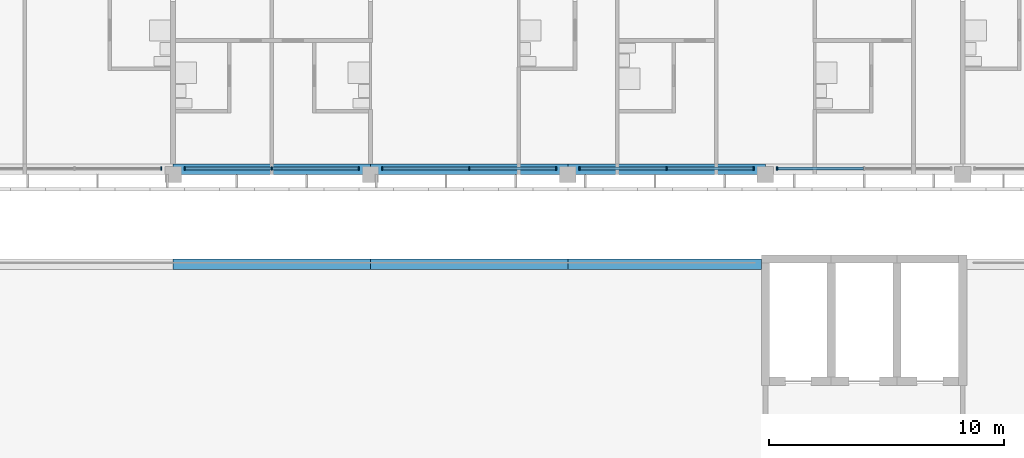
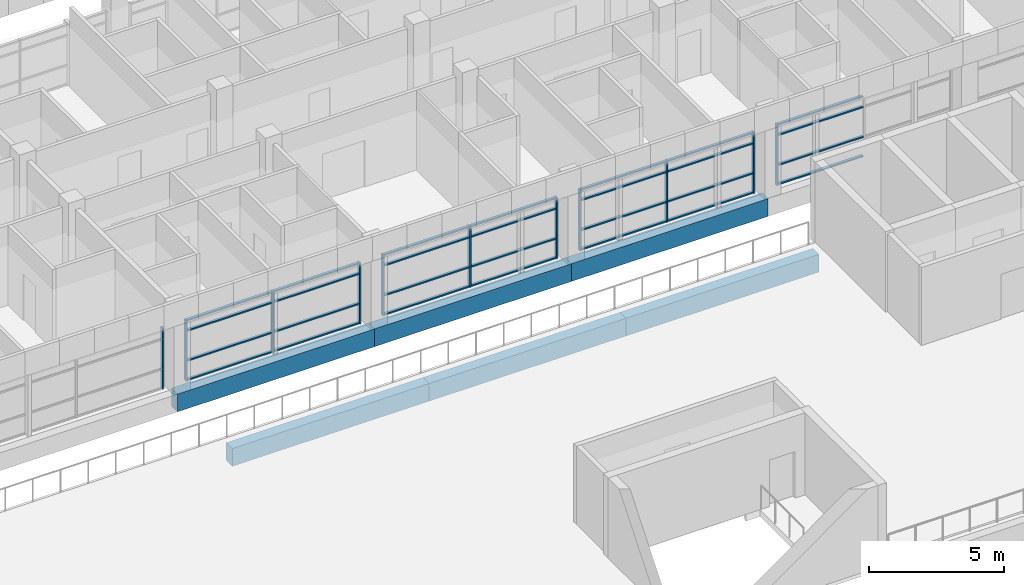
# One storey, part 8 of 46: 39 members, 6 beams, 5 elements without a shape of their own.
"""IFC4 building model written with IfcOpenShell, lengths in metres."""

from ifc_helpers import new_model, si_unit, direction, frame, origin, origin_2d, place, context, subcontext, project, spatial, rectangle, extrude, material, material_profile, profile_set, type_object, element, aggregate, save


model = new_model("IFC4")

# Units and contexts
model_context = context("Model", 3, precision=1e-05, world=origin(), true_north=direction((0.0, 1.0)))
body_context = subcontext(model_context, "Body", "Model", "MODEL_VIEW")
ifc_project = project(units=[si_unit("LENGTHUNIT", "METRE"), si_unit("AREAUNIT", "SQUARE_METRE"), si_unit("VOLUMEUNIT", "CUBIC_METRE"), si_unit("PLANEANGLEUNIT", "RADIAN"), si_unit("MASSUNIT", "GRAM", prefix="KILO")], contexts=[model_context])

# Site, building, storey
site_placement = place(None, origin())
site = spatial("IfcSite", under=ifc_project, at=site_placement, CompositionType="ELEMENT")
building_placement = place(site_placement, origin())
building = spatial("IfcBuilding", under=site, at=building_placement, Name="Bougainvillea Quay General Hospital", CompositionType="ELEMENT")
storey_placement = place(building_placement, frame((0.0, 0.0, 28.800048828125)))
storey = spatial("IfcBuildingStorey", under=building, at=storey_placement, Name="L06", CompositionType="ELEMENT", Elevation=28.800048828125)

# Curtain wall, member
ifc_material_1 = material(Name="Aluminium curtain wall system, powder-coated glazed", Category="aluminium")
curtain_wall_type = type_object("IfcCurtainWallType", Name="Unitised curtain wall CW-3730", PredefinedType="NOTDEFINED", material=ifc_material_1)
curtain_wall_1_placement = place(storey_placement, origin())
curtain_wall_1 = element("IfcCurtainWall", 1, at=curtain_wall_1_placement, inside=storey, type_object=curtain_wall_type, Name="CW-4200 03", PredefinedType="NOTDEFINED")
ifc_material_2 = material(Name="Aluminium mullion, powder-coated charcoal", Category="aluminium")
ifc_material_profile_1 = material_profile(ifc_material_2, rectangle(XDim=0.159912109375, YDim=0.06005859375, at=origin_2d()))
ifc_profile_set_1 = profile_set([ifc_material_profile_1], Name="Aluminium mullion, powder-coated charcoal")
member_type_1 = type_object("IfcMemberType", Name="Curtain wall mullion 160x60", PredefinedType="MULLION", material=ifc_profile_set_1)
member_1_placement = place(storey_placement, frame((108.699951171875, 140.64990234375, 0.0), z_axis=(0.0, 0.0, 1.0), x_axis=(0.0, 1.0, 0.0)))
member_1 = element("IfcMember", 2, at=member_1_placement, type_object=member_type_1, Name="CW-4200 mullion 3", PredefinedType="MULLION", context=body_context, shape_type="SweptSolid", body=[
    extrude(rectangle(XDim=0.159912109375, YDim=0.06005859375, at=origin_2d()), origin(), (0.0, 0.0, 1.0), 2.75),
])
aggregate(curtain_wall_1, [member_1])

# Curtain wall, members
curtain_wall_2_placement = place(storey_placement, origin())
curtain_wall_2 = element("IfcCurtainWall", 3, at=curtain_wall_2_placement, inside=storey, type_object=curtain_wall_type, Name="CW-4200 04", PredefinedType="NOTDEFINED")
member_2_placement = place(storey_placement, frame((109.699951171875, 140.64990234375, 0.0), z_axis=(0.0, 0.0, 1.0), x_axis=(0.0, 1.0, 0.0)))
member_2 = element("IfcMember", 4, at=member_2_placement, type_object=member_type_1, Name="CW-4200 mullion 1", PredefinedType="MULLION", context=body_context, shape_type="SweptSolid", body=[
    extrude(rectangle(XDim=0.159912109375, YDim=0.06005859375, at=origin_2d()), origin(), (0.0, 0.0, 1.0), 2.75),
])
member_3_placement = place(storey_placement, frame((113.39990234375, 140.64990234375, 0.0), z_axis=(0.0, 0.0, 1.0), x_axis=(0.0, 1.0, 0.0)))
member_3 = element("IfcMember", 5, at=member_3_placement, type_object=member_type_1, Name="CW-4200 mullion 2", PredefinedType="MULLION", context=body_context, shape_type="SweptSolid", body=[
    extrude(rectangle(XDim=0.159912109375, YDim=0.06005859375, at=origin_2d()), origin(), (0.0, 0.0, 1.0), 2.75),
])
member_4_placement = place(storey_placement, frame((117.10009765625, 140.64990234375, 0.0), z_axis=(0.0, 0.0, 1.0), x_axis=(0.0, 1.0, 0.0)))
member_4 = element("IfcMember", 6, at=member_4_placement, type_object=member_type_1, Name="CW-4200 mullion 3", PredefinedType="MULLION", context=body_context, shape_type="SweptSolid", body=[
    extrude(rectangle(XDim=0.159912109375, YDim=0.06005859375, at=origin_2d()), origin(), (0.0, 0.0, 1.0), 2.75),
])

curtain_wall_3_placement = place(storey_placement, origin())
curtain_wall_3 = element("IfcCurtainWall", 7, at=curtain_wall_3_placement, inside=storey, type_object=curtain_wall_type, Name="CW-4200 05", PredefinedType="NOTDEFINED")
member_5_placement = place(storey_placement, frame((118.10009765625, 140.64990234375, 0.0), z_axis=(0.0, 0.0, 1.0), x_axis=(0.0, 1.0, 0.0)))
member_5 = element("IfcMember", 8, at=member_5_placement, type_object=member_type_1, Name="CW-4200 mullion 1", PredefinedType="MULLION", context=body_context, shape_type="SweptSolid", body=[
    extrude(rectangle(XDim=0.159912109375, YDim=0.06005859375, at=origin_2d()), origin(), (0.0, 0.0, 1.0), 2.75),
])
member_6_placement = place(storey_placement, frame((121.800048828125, 140.64990234375, 0.0), z_axis=(0.0, 0.0, 1.0), x_axis=(0.0, 1.0, 0.0)))
member_6 = element("IfcMember", 9, at=member_6_placement, type_object=member_type_1, Name="CW-4200 mullion 2", PredefinedType="MULLION", context=body_context, shape_type="SweptSolid", body=[
    extrude(rectangle(XDim=0.159912109375, YDim=0.06005859375, at=origin_2d()), origin(), (0.0, 0.0, 1.0), 2.75),
])
member_7_placement = place(storey_placement, frame((125.5, 140.64990234375, 0.0), z_axis=(0.0, 0.0, 1.0), x_axis=(0.0, 1.0, 0.0)))
member_7 = element("IfcMember", 10, at=member_7_placement, type_object=member_type_1, Name="CW-4200 mullion 3", PredefinedType="MULLION", context=body_context, shape_type="SweptSolid", body=[
    extrude(rectangle(XDim=0.159912109375, YDim=0.06005859375, at=origin_2d()), origin(), (0.0, 0.0, 1.0), 2.75),
])

curtain_wall_4_placement = place(storey_placement, origin())
curtain_wall_4 = element("IfcCurtainWall", 11, at=curtain_wall_4_placement, inside=storey, type_object=curtain_wall_type, Name="CW-4200 06", PredefinedType="NOTDEFINED")
member_8_placement = place(storey_placement, frame((126.5, 140.64990234375, 0.0), z_axis=(0.0, 0.0, 1.0), x_axis=(0.0, 1.0, 0.0)))
member_8 = element("IfcMember", 12, at=member_8_placement, type_object=member_type_1, Name="CW-4200 mullion 1", PredefinedType="MULLION", context=body_context, shape_type="SweptSolid", body=[
    extrude(rectangle(XDim=0.159912109375, YDim=0.06005859375, at=origin_2d()), origin(), (0.0, 0.0, 1.0), 2.75),
])
member_9_placement = place(storey_placement, frame((130.199951171875, 140.64990234375, 0.0), z_axis=(0.0, 0.0, 1.0), x_axis=(0.0, 1.0, 0.0)))
member_9 = element("IfcMember", 13, at=member_9_placement, type_object=member_type_1, Name="CW-4200 mullion 2", PredefinedType="MULLION", context=body_context, shape_type="SweptSolid", body=[
    extrude(rectangle(XDim=0.159912109375, YDim=0.06005859375, at=origin_2d()), origin(), (0.0, 0.0, 1.0), 2.75),
])
member_10_placement = place(storey_placement, frame((133.89990234375, 140.64990234375, 0.0), z_axis=(0.0, 0.0, 1.0), x_axis=(0.0, 1.0, 0.0)))
member_10 = element("IfcMember", 14, at=member_10_placement, type_object=member_type_1, Name="CW-4200 mullion 3", PredefinedType="MULLION", context=body_context, shape_type="SweptSolid", body=[
    extrude(rectangle(XDim=0.159912109375, YDim=0.06005859375, at=origin_2d()), origin(), (0.0, 0.0, 1.0), 2.75),
])

# Curtain wall, member
curtain_wall_5_placement = place(storey_placement, origin())
curtain_wall_5 = element("IfcCurtainWall", 15, at=curtain_wall_5_placement, inside=storey, type_object=curtain_wall_type, Name="CW-4200 07", PredefinedType="NOTDEFINED")
member_11_placement = place(storey_placement, frame((134.89990234375, 140.64990234375, 0.0), z_axis=(0.0, 0.0, 1.0), x_axis=(0.0, 1.0, 0.0)))
member_11 = element("IfcMember", 16, at=member_11_placement, type_object=member_type_1, Name="CW-4200 mullion 1", PredefinedType="MULLION", context=body_context, shape_type="SweptSolid", body=[
    extrude(rectangle(XDim=0.159912109375, YDim=0.06005859375, at=origin_2d()), origin(), (0.0, 0.0, 1.0), 2.75),
])

# Member
ifc_material_3 = material(Name="Aluminium transom, powder-coated charcoal", Category="aluminium")
ifc_material_profile_2 = material_profile(ifc_material_3, rectangle(XDim=0.1201171875, YDim=0.06005859375, at=origin_2d()))
ifc_profile_set_2 = profile_set([ifc_material_profile_2], Name="Aluminium transom, powder-coated charcoal")
member_type_2 = type_object("IfcMemberType", Name="Curtain wall transom 120x60", PredefinedType="USERDEFINED", material=ifc_profile_set_2)
member_12_placement = place(storey_placement, frame((109.72998046875, 140.64990234375, 0.030029296875), z_axis=(1.0, 0.0, 0.0), x_axis=(0.0, 1.0, 0.0)))
member_12 = element("IfcMember", 17, at=member_12_placement, type_object=member_type_2, Name="CW-4200 transom 1.1", ObjectType="TRANSOM", PredefinedType="USERDEFINED", context=body_context, shape_type="SweptSolid", body=[
    extrude(rectangle(XDim=0.1201171875, YDim=0.06005859375, at=origin_2d()), origin(), (0.0, 0.0, 1.0), 3.64013671875),
])

member_13_placement = place(storey_placement, frame((109.72998046875, 140.64990234375, 0.89990234375), z_axis=(1.0, 0.0, 0.0), x_axis=(0.0, 1.0, 0.0)))
member_13 = element("IfcMember", 18, at=member_13_placement, type_object=member_type_2, Name="CW-4200 transom 1.2", ObjectType="TRANSOM", PredefinedType="USERDEFINED", context=body_context, shape_type="SweptSolid", body=[
    extrude(rectangle(XDim=0.1201171875, YDim=0.06005859375, at=origin_2d()), origin(), (0.0, 0.0, 1.0), 3.64013671875),
])

member_14_placement = place(storey_placement, frame((109.72998046875, 140.64990234375, 2.25), z_axis=(1.0, 0.0, 0.0), x_axis=(0.0, 1.0, 0.0)))
member_14 = element("IfcMember", 19, at=member_14_placement, type_object=member_type_2, Name="CW-4200 transom 1.3", ObjectType="TRANSOM", PredefinedType="USERDEFINED", context=body_context, shape_type="SweptSolid", body=[
    extrude(rectangle(XDim=0.1201171875, YDim=0.06005859375, at=origin_2d()), origin(), (0.0, 0.0, 1.0), 3.64013671875),
])

member_15_placement = place(storey_placement, frame((109.72998046875, 140.64990234375, 2.719970703125), z_axis=(1.0, 0.0, 0.0), x_axis=(0.0, 1.0, 0.0)))
member_15 = element("IfcMember", 20, at=member_15_placement, type_object=member_type_2, Name="CW-4200 transom 1.4", ObjectType="TRANSOM", PredefinedType="USERDEFINED", context=body_context, shape_type="SweptSolid", body=[
    extrude(rectangle(XDim=0.1201171875, YDim=0.06005859375, at=origin_2d()), origin(), (0.0, 0.0, 1.0), 3.64013671875),
])

member_16_placement = place(storey_placement, frame((113.429931640625, 140.64990234375, 0.030029296875), z_axis=(1.0, 0.0, 0.0), x_axis=(0.0, 1.0, 0.0)))
member_16 = element("IfcMember", 21, at=member_16_placement, type_object=member_type_2, Name="CW-4200 transom 2.1", ObjectType="TRANSOM", PredefinedType="USERDEFINED", context=body_context, shape_type="SweptSolid", body=[
    extrude(rectangle(XDim=0.1201171875, YDim=0.06005859375, at=origin_2d()), origin(), (0.0, 0.0, 1.0), 3.64013671875),
])

member_17_placement = place(storey_placement, frame((113.429931640625, 140.64990234375, 0.89990234375), z_axis=(1.0, 0.0, 0.0), x_axis=(0.0, 1.0, 0.0)))
member_17 = element("IfcMember", 22, at=member_17_placement, type_object=member_type_2, Name="CW-4200 transom 2.2", ObjectType="TRANSOM", PredefinedType="USERDEFINED", context=body_context, shape_type="SweptSolid", body=[
    extrude(rectangle(XDim=0.1201171875, YDim=0.06005859375, at=origin_2d()), origin(), (0.0, 0.0, 1.0), 3.64013671875),
])

member_18_placement = place(storey_placement, frame((113.429931640625, 140.64990234375, 2.25), z_axis=(1.0, 0.0, 0.0), x_axis=(0.0, 1.0, 0.0)))
member_18 = element("IfcMember", 23, at=member_18_placement, type_object=member_type_2, Name="CW-4200 transom 2.3", ObjectType="TRANSOM", PredefinedType="USERDEFINED", context=body_context, shape_type="SweptSolid", body=[
    extrude(rectangle(XDim=0.1201171875, YDim=0.06005859375, at=origin_2d()), origin(), (0.0, 0.0, 1.0), 3.64013671875),
])

member_19_placement = place(storey_placement, frame((113.429931640625, 140.64990234375, 2.719970703125), z_axis=(1.0, 0.0, 0.0), x_axis=(0.0, 1.0, 0.0)))
member_19 = element("IfcMember", 24, at=member_19_placement, type_object=member_type_2, Name="CW-4200 transom 2.4", ObjectType="TRANSOM", PredefinedType="USERDEFINED", context=body_context, shape_type="SweptSolid", body=[
    extrude(rectangle(XDim=0.1201171875, YDim=0.06005859375, at=origin_2d()), origin(), (0.0, 0.0, 1.0), 3.64013671875),
])

aggregate(curtain_wall_2, [member_2, member_3, member_4, member_12, member_13, member_14, member_15, member_16, member_17, member_18, member_19])

member_20_placement = place(storey_placement, frame((118.1298828125, 140.64990234375, 0.030029296875), z_axis=(1.0, 0.0, 0.0), x_axis=(0.0, 1.0, 0.0)))
member_20 = element("IfcMember", 25, at=member_20_placement, type_object=member_type_2, Name="CW-4200 transom 1.1", ObjectType="TRANSOM", PredefinedType="USERDEFINED", context=body_context, shape_type="SweptSolid", body=[
    extrude(rectangle(XDim=0.1201171875, YDim=0.06005859375, at=origin_2d()), origin(), (0.0, 0.0, 1.0), 3.64013671875),
])

member_21_placement = place(storey_placement, frame((118.1298828125, 140.64990234375, 0.89990234375), z_axis=(1.0, 0.0, 0.0), x_axis=(0.0, 1.0, 0.0)))
member_21 = element("IfcMember", 26, at=member_21_placement, type_object=member_type_2, Name="CW-4200 transom 1.2", ObjectType="TRANSOM", PredefinedType="USERDEFINED", context=body_context, shape_type="SweptSolid", body=[
    extrude(rectangle(XDim=0.1201171875, YDim=0.06005859375, at=origin_2d()), origin(), (0.0, 0.0, 1.0), 3.64013671875),
])

member_22_placement = place(storey_placement, frame((118.1298828125, 140.64990234375, 2.25), z_axis=(1.0, 0.0, 0.0), x_axis=(0.0, 1.0, 0.0)))
member_22 = element("IfcMember", 27, at=member_22_placement, type_object=member_type_2, Name="CW-4200 transom 1.3", ObjectType="TRANSOM", PredefinedType="USERDEFINED", context=body_context, shape_type="SweptSolid", body=[
    extrude(rectangle(XDim=0.1201171875, YDim=0.06005859375, at=origin_2d()), origin(), (0.0, 0.0, 1.0), 3.64013671875),
])

member_23_placement = place(storey_placement, frame((118.1298828125, 140.64990234375, 2.719970703125), z_axis=(1.0, 0.0, 0.0), x_axis=(0.0, 1.0, 0.0)))
member_23 = element("IfcMember", 28, at=member_23_placement, type_object=member_type_2, Name="CW-4200 transom 1.4", ObjectType="TRANSOM", PredefinedType="USERDEFINED", context=body_context, shape_type="SweptSolid", body=[
    extrude(rectangle(XDim=0.1201171875, YDim=0.06005859375, at=origin_2d()), origin(), (0.0, 0.0, 1.0), 3.64013671875),
])

member_24_placement = place(storey_placement, frame((121.830078125, 140.64990234375, 0.030029296875), z_axis=(1.0, 0.0, 0.0), x_axis=(0.0, 1.0, 0.0)))
member_24 = element("IfcMember", 29, at=member_24_placement, type_object=member_type_2, Name="CW-4200 transom 2.1", ObjectType="TRANSOM", PredefinedType="USERDEFINED", context=body_context, shape_type="SweptSolid", body=[
    extrude(rectangle(XDim=0.1201171875, YDim=0.06005859375, at=origin_2d()), origin(), (0.0, 0.0, 1.0), 3.639892578125),
])

member_25_placement = place(storey_placement, frame((121.830078125, 140.64990234375, 0.89990234375), z_axis=(1.0, 0.0, 0.0), x_axis=(0.0, 1.0, 0.0)))
member_25 = element("IfcMember", 30, at=member_25_placement, type_object=member_type_2, Name="CW-4200 transom 2.2", ObjectType="TRANSOM", PredefinedType="USERDEFINED", context=body_context, shape_type="SweptSolid", body=[
    extrude(rectangle(XDim=0.1201171875, YDim=0.06005859375, at=origin_2d()), origin(), (0.0, 0.0, 1.0), 3.639892578125),
])

member_26_placement = place(storey_placement, frame((121.830078125, 140.64990234375, 2.25), z_axis=(1.0, 0.0, 0.0), x_axis=(0.0, 1.0, 0.0)))
member_26 = element("IfcMember", 31, at=member_26_placement, type_object=member_type_2, Name="CW-4200 transom 2.3", ObjectType="TRANSOM", PredefinedType="USERDEFINED", context=body_context, shape_type="SweptSolid", body=[
    extrude(rectangle(XDim=0.1201171875, YDim=0.06005859375, at=origin_2d()), origin(), (0.0, 0.0, 1.0), 3.639892578125),
])

member_27_placement = place(storey_placement, frame((121.830078125, 140.64990234375, 2.719970703125), z_axis=(1.0, 0.0, 0.0), x_axis=(0.0, 1.0, 0.0)))
member_27 = element("IfcMember", 32, at=member_27_placement, type_object=member_type_2, Name="CW-4200 transom 2.4", ObjectType="TRANSOM", PredefinedType="USERDEFINED", context=body_context, shape_type="SweptSolid", body=[
    extrude(rectangle(XDim=0.1201171875, YDim=0.06005859375, at=origin_2d()), origin(), (0.0, 0.0, 1.0), 3.639892578125),
])

aggregate(curtain_wall_3, [member_5, member_6, member_7, member_20, member_21, member_22, member_23, member_24, member_25, member_26, member_27])

member_28_placement = place(storey_placement, frame((126.530029296875, 140.64990234375, 0.030029296875), z_axis=(1.0, 0.0, 0.0), x_axis=(0.0, 1.0, 0.0)))
member_28 = element("IfcMember", 33, at=member_28_placement, type_object=member_type_2, Name="CW-4200 transom 1.1", ObjectType="TRANSOM", PredefinedType="USERDEFINED", context=body_context, shape_type="SweptSolid", body=[
    extrude(rectangle(XDim=0.1201171875, YDim=0.06005859375, at=origin_2d()), origin(), (0.0, 0.0, 1.0), 3.639892578125),
])

member_29_placement = place(storey_placement, frame((126.530029296875, 140.64990234375, 0.89990234375), z_axis=(1.0, 0.0, 0.0), x_axis=(0.0, 1.0, 0.0)))
member_29 = element("IfcMember", 34, at=member_29_placement, type_object=member_type_2, Name="CW-4200 transom 1.2", ObjectType="TRANSOM", PredefinedType="USERDEFINED", context=body_context, shape_type="SweptSolid", body=[
    extrude(rectangle(XDim=0.1201171875, YDim=0.06005859375, at=origin_2d()), origin(), (0.0, 0.0, 1.0), 3.639892578125),
])

member_30_placement = place(storey_placement, frame((126.530029296875, 140.64990234375, 2.25), z_axis=(1.0, 0.0, 0.0), x_axis=(0.0, 1.0, 0.0)))
member_30 = element("IfcMember", 35, at=member_30_placement, type_object=member_type_2, Name="CW-4200 transom 1.3", ObjectType="TRANSOM", PredefinedType="USERDEFINED", context=body_context, shape_type="SweptSolid", body=[
    extrude(rectangle(XDim=0.1201171875, YDim=0.06005859375, at=origin_2d()), origin(), (0.0, 0.0, 1.0), 3.639892578125),
])

member_31_placement = place(storey_placement, frame((126.530029296875, 140.64990234375, 2.719970703125), z_axis=(1.0, 0.0, 0.0), x_axis=(0.0, 1.0, 0.0)))
member_31 = element("IfcMember", 36, at=member_31_placement, type_object=member_type_2, Name="CW-4200 transom 1.4", ObjectType="TRANSOM", PredefinedType="USERDEFINED", context=body_context, shape_type="SweptSolid", body=[
    extrude(rectangle(XDim=0.1201171875, YDim=0.06005859375, at=origin_2d()), origin(), (0.0, 0.0, 1.0), 3.639892578125),
])

member_32_placement = place(storey_placement, frame((130.22998046875, 140.64990234375, 0.030029296875), z_axis=(1.0, 0.0, 0.0), x_axis=(0.0, 1.0, 0.0)))
member_32 = element("IfcMember", 37, at=member_32_placement, type_object=member_type_2, Name="CW-4200 transom 2.1", ObjectType="TRANSOM", PredefinedType="USERDEFINED", context=body_context, shape_type="SweptSolid", body=[
    extrude(rectangle(XDim=0.1201171875, YDim=0.06005859375, at=origin_2d()), origin(), (0.0, 0.0, 1.0), 3.64013671875),
])

member_33_placement = place(storey_placement, frame((130.22998046875, 140.64990234375, 0.89990234375), z_axis=(1.0, 0.0, 0.0), x_axis=(0.0, 1.0, 0.0)))
member_33 = element("IfcMember", 38, at=member_33_placement, type_object=member_type_2, Name="CW-4200 transom 2.2", ObjectType="TRANSOM", PredefinedType="USERDEFINED", context=body_context, shape_type="SweptSolid", body=[
    extrude(rectangle(XDim=0.1201171875, YDim=0.06005859375, at=origin_2d()), origin(), (0.0, 0.0, 1.0), 3.64013671875),
])

member_34_placement = place(storey_placement, frame((130.22998046875, 140.64990234375, 2.25), z_axis=(1.0, 0.0, 0.0), x_axis=(0.0, 1.0, 0.0)))
member_34 = element("IfcMember", 39, at=member_34_placement, type_object=member_type_2, Name="CW-4200 transom 2.3", ObjectType="TRANSOM", PredefinedType="USERDEFINED", context=body_context, shape_type="SweptSolid", body=[
    extrude(rectangle(XDim=0.1201171875, YDim=0.06005859375, at=origin_2d()), origin(), (0.0, 0.0, 1.0), 3.64013671875),
])

member_35_placement = place(storey_placement, frame((130.22998046875, 140.64990234375, 2.719970703125), z_axis=(1.0, 0.0, 0.0), x_axis=(0.0, 1.0, 0.0)))
member_35 = element("IfcMember", 40, at=member_35_placement, type_object=member_type_2, Name="CW-4200 transom 2.4", ObjectType="TRANSOM", PredefinedType="USERDEFINED", context=body_context, shape_type="SweptSolid", body=[
    extrude(rectangle(XDim=0.1201171875, YDim=0.06005859375, at=origin_2d()), origin(), (0.0, 0.0, 1.0), 3.64013671875),
])

aggregate(curtain_wall_4, [member_8, member_9, member_10, member_28, member_29, member_30, member_31, member_32, member_33, member_34, member_35])

member_36_placement = place(storey_placement, frame((134.929931640625, 140.64990234375, 0.030029296875), z_axis=(1.0, 0.0, 0.0), x_axis=(0.0, 1.0, 0.0)))
member_36 = element("IfcMember", 41, at=member_36_placement, type_object=member_type_2, Name="CW-4200 transom 1.1", ObjectType="TRANSOM", PredefinedType="USERDEFINED", context=body_context, shape_type="SweptSolid", body=[
    extrude(rectangle(XDim=0.1201171875, YDim=0.06005859375, at=origin_2d()), origin(), (0.0, 0.0, 1.0), 3.64013671875),
])

member_37_placement = place(storey_placement, frame((134.929931640625, 140.64990234375, 0.89990234375), z_axis=(1.0, 0.0, 0.0), x_axis=(0.0, 1.0, 0.0)))
member_37 = element("IfcMember", 42, at=member_37_placement, type_object=member_type_2, Name="CW-4200 transom 1.2", ObjectType="TRANSOM", PredefinedType="USERDEFINED", context=body_context, shape_type="SweptSolid", body=[
    extrude(rectangle(XDim=0.1201171875, YDim=0.06005859375, at=origin_2d()), origin(), (0.0, 0.0, 1.0), 3.64013671875),
])

member_38_placement = place(storey_placement, frame((134.929931640625, 140.64990234375, 2.25), z_axis=(1.0, 0.0, 0.0), x_axis=(0.0, 1.0, 0.0)))
member_38 = element("IfcMember", 43, at=member_38_placement, type_object=member_type_2, Name="CW-4200 transom 1.3", ObjectType="TRANSOM", PredefinedType="USERDEFINED", context=body_context, shape_type="SweptSolid", body=[
    extrude(rectangle(XDim=0.1201171875, YDim=0.06005859375, at=origin_2d()), origin(), (0.0, 0.0, 1.0), 3.64013671875),
])

member_39_placement = place(storey_placement, frame((134.929931640625, 140.64990234375, 2.719970703125), z_axis=(1.0, 0.0, 0.0), x_axis=(0.0, 1.0, 0.0)))
member_39 = element("IfcMember", 44, at=member_39_placement, type_object=member_type_2, Name="CW-4200 transom 1.4", ObjectType="TRANSOM", PredefinedType="USERDEFINED", context=body_context, shape_type="SweptSolid", body=[
    extrude(rectangle(XDim=0.1201171875, YDim=0.06005859375, at=origin_2d()), origin(), (0.0, 0.0, 1.0), 3.64013671875),
])

aggregate(curtain_wall_5, [member_11, member_36, member_37, member_38, member_39])

# Beams
ifc_material_4 = material(Name="Concrete C40", Category="concrete")
ifc_material_profile_3 = material_profile(ifc_material_4, rectangle(XDim=0.449951171875, YDim=0.800048828125, at=origin_2d()))
ifc_profile_set_3 = profile_set([ifc_material_profile_3], Name="Concrete C40")
beam_type = type_object("IfcBeamType", Name="RC BEAM 450x800 C40", PredefinedType="BEAM", material=ifc_profile_set_3)
beam_1_placement = place(storey_placement, frame((109.199951171875, 140.625, -0.699951171875), z_axis=(1.0, 0.0, 0.0), x_axis=(0.0, 1.0, 0.0)))
element("IfcBeam", 45, at=beam_1_placement, inside=storey, type_object=beam_type, Name="Edge beam L06", PredefinedType="BEAM", context=body_context, shape_type="SweptSolid", body=[
    extrude(rectangle(XDim=0.449951171875, YDim=0.800048828125, at=origin_2d()), origin(), (0.0, 0.0, 1.0), 8.400146484375),
])
for number, where, z_axis, x_axis, name in (
    (46, (117.60009765625, 140.625, -0.699951171875), (1.0, 0.0, 0.0), (0.0, 1.0, 0.0), "Edge beam L06"),
    (47, (126.0, 140.625, -0.699951171875), (1.0, 0.0, 0.0), (0.0, 1.0, 0.0), "Edge beam L06"),
):
    element("IfcBeam", number, at=place(storey_placement, frame(where, z_axis=z_axis, x_axis=x_axis)), inside=storey, type_object=beam_type, Name=name, PredefinedType="BEAM", context=body_context, shape_type="SweptSolid", body=[
        extrude(rectangle(XDim=0.449951171875, YDim=0.800048828125, at=origin_2d()), origin(), (0.0, 0.0, 1.0), 8.39990234375),
    ])
beam_2_placement = place(storey_placement, frame((134.22509765625, 136.574951171875, -0.699951171875), z_axis=(-1.0, 0.0, 0.0), x_axis=(0.0, -1.0, 0.0)))
element("IfcBeam", 48, at=beam_2_placement, inside=storey, type_object=beam_type, Name="Edge beam L06", PredefinedType="BEAM", context=body_context, shape_type="SweptSolid", body=[
    extrude(rectangle(XDim=0.449951171875, YDim=0.800048828125, at=origin_2d()), origin(), (0.0, 0.0, 1.0), 8.22509765625),
])
beam_3_placement = place(storey_placement, frame((126.0, 136.574951171875, -0.699951171875), z_axis=(-1.0, 0.0, 0.0), x_axis=(0.0, -1.0, 0.0)))
element("IfcBeam", 49, at=beam_3_placement, inside=storey, type_object=beam_type, Name="Edge beam L06", PredefinedType="BEAM", context=body_context, shape_type="SweptSolid", body=[
    extrude(rectangle(XDim=0.449951171875, YDim=0.800048828125, at=origin_2d()), origin(), (0.0, 0.0, 1.0), 8.39990234375),
])
beam_4_placement = place(storey_placement, frame((117.60009765625, 136.574951171875, -0.699951171875), z_axis=(-1.0, 0.0, 0.0), x_axis=(0.0, -1.0, 0.0)))
element("IfcBeam", 50, at=beam_4_placement, inside=storey, type_object=beam_type, Name="Edge beam L06", PredefinedType="BEAM", context=body_context, shape_type="SweptSolid", body=[
    extrude(rectangle(XDim=0.449951171875, YDim=0.800048828125, at=origin_2d()), origin(), (0.0, 0.0, 1.0), 8.400146484375),
])

save(model, "model.ifc")
